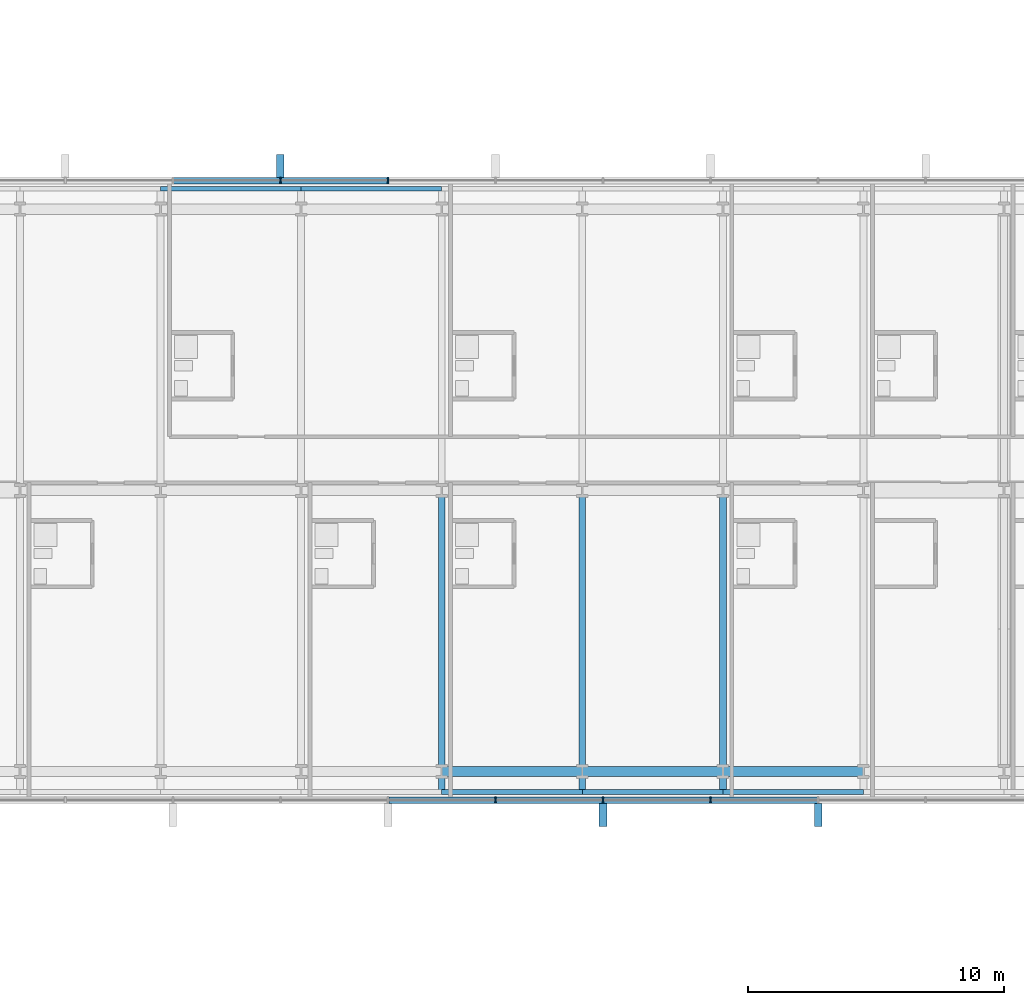
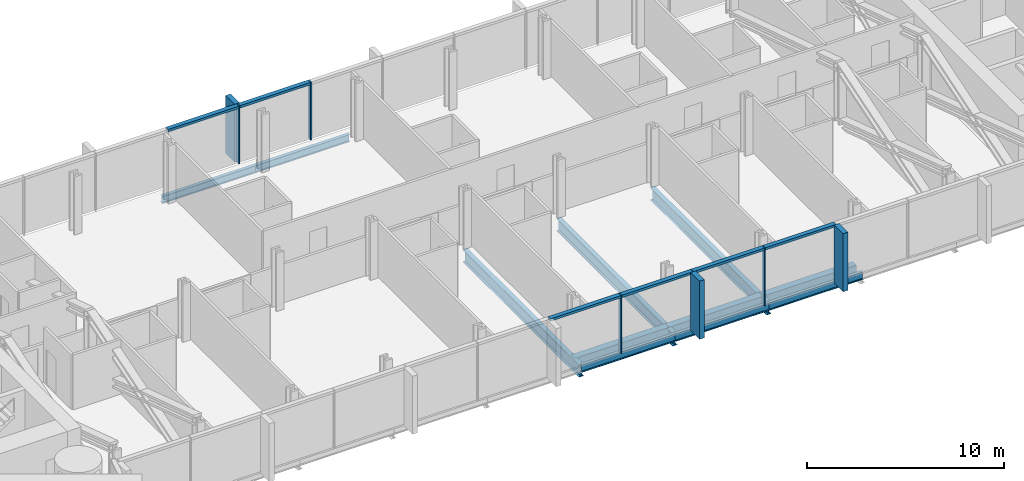
# One storey, part 7 of 23: 14 members, 11 beams, 2 elements without a shape of their own.
"""IFC4 building model written with IfcOpenShell, lengths in metres."""

from ifc_helpers import new_model, si_unit, direction, frame, origin, origin_2d, place, context, subcontext, project, spatial, rectangle, hollow_rectangle, i_section, extrude, material, material_profile, profile_set, type_object, element, aggregate, save


model = new_model("IFC4")

# Units and contexts
model_context = context("Model", 3, precision=1e-05, world=origin(), true_north=direction((0.0, 1.0)))
body_context = subcontext(model_context, "Body", "Model", "MODEL_VIEW")
ifc_project = project(units=[si_unit("LENGTHUNIT", "METRE"), si_unit("AREAUNIT", "SQUARE_METRE"), si_unit("VOLUMEUNIT", "CUBIC_METRE"), si_unit("PLANEANGLEUNIT", "RADIAN"), si_unit("MASSUNIT", "GRAM", prefix="KILO")], contexts=[model_context])

# Site, building, storey
site_placement = place(None, origin())
site = spatial("IfcSite", under=ifc_project, at=site_placement, CompositionType="ELEMENT")
building_placement = place(site_placement, origin())
building = spatial("IfcBuilding", under=site, at=building_placement, Name="Lancet Gate Hotel", CompositionType="ELEMENT")
storey_placement = place(building_placement, frame((0.0, 0.0, 240.5)))
storey = spatial("IfcBuildingStorey", under=building, at=storey_placement, Name="L64", CompositionType="ELEMENT", Elevation=240.5)

# Curtain wall, members
ifc_material_1 = material(Name="Aluminium curtain wall", Category="aluminium")
curtain_wall_type = type_object("IfcCurtainWallType", Name="Bridge block curtain wall", PredefinedType="USERDEFINED", material=ifc_material_1)
curtain_wall_1_placement = place(storey_placement, origin())
curtain_wall_1 = element("IfcCurtainWall", 1, at=curtain_wall_1_placement, inside=storey, type_object=curtain_wall_type, Name="Bridge block L64 curtain wall S", ObjectType="UNITISED CURTAIN WALL", PredefinedType="USERDEFINED")
ifc_material_2 = material(Name="Aluminium mullion", Category="aluminium")
ifc_material_profile_1 = material_profile(ifc_material_2, rectangle(XDim=0.06494140625, YDim=0.25, at=origin_2d()), Name="MULLION 65x250")
ifc_profile_set_1 = profile_set([ifc_material_profile_1], Name="Aluminium mullion")
member_type_1 = type_object("IfcMemberType", Name="Aluminium mullion 65x250", PredefinedType="MULLION", material=ifc_profile_set_1)
member_1_placement = place(storey_placement, frame((2.103759765625, -12.1201171875, 0.0), z_axis=(0.0, 0.0, 1.0), x_axis=(1.0, 0.0, 0.0)))
member_1 = element("IfcMember", 2, at=member_1_placement, type_object=member_type_1, Name="Bridge block L64 curtain wall S mullion 8", PredefinedType="MULLION", context=body_context, shape_type="SweptSolid", body=[
    extrude(rectangle(XDim=0.06494140625, YDim=0.25, at=origin_2d()), origin(), (0.0, 0.0, 1.0), 3.60009765625),
])
member_2_placement = place(storey_placement, frame((6.3115234375, -12.1201171875, 0.0), z_axis=(0.0, 0.0, 1.0), x_axis=(1.0, 0.0, 0.0)))
member_2 = element("IfcMember", 3, at=member_2_placement, type_object=member_type_1, Name="Bridge block L64 curtain wall S mullion 9", PredefinedType="MULLION", context=body_context, shape_type="SweptSolid", body=[
    extrude(rectangle(XDim=0.06494140625, YDim=0.25, at=origin_2d()), origin(), (0.0, 0.0, 1.0), 3.60009765625),
])
member_3_placement = place(storey_placement, frame((10.519287109375, -12.1201171875, 0.0), z_axis=(0.0, 0.0, 1.0), x_axis=(1.0, 0.0, 0.0)))
member_3 = element("IfcMember", 4, at=member_3_placement, type_object=member_type_1, Name="Bridge block L64 curtain wall S mullion 10", PredefinedType="MULLION", context=body_context, shape_type="SweptSolid", body=[
    extrude(rectangle(XDim=0.06494140625, YDim=0.25, at=origin_2d()), origin(), (0.0, 0.0, 1.0), 3.60009765625),
])

curtain_wall_2_placement = place(storey_placement, origin())
curtain_wall_2 = element("IfcCurtainWall", 5, at=curtain_wall_2_placement, inside=storey, type_object=curtain_wall_type, Name="Bridge block L64 curtain wall N", ObjectType="UNITISED CURTAIN WALL", PredefinedType="USERDEFINED")
member_4_placement = place(storey_placement, frame((-2.103759765625, 12.1201171875, 0.0), z_axis=(0.0, 0.0, 1.0), x_axis=(-1.0, 0.0, 0.0)))
member_4 = element("IfcMember", 6, at=member_4_placement, type_object=member_type_1, Name="Bridge block L64 curtain wall N mullion 8", PredefinedType="MULLION", context=body_context, shape_type="SweptSolid", body=[
    extrude(rectangle(XDim=0.06494140625, YDim=0.25, at=origin_2d()), origin(), (0.0, 0.0, 1.0), 3.60009765625),
])
member_5_placement = place(storey_placement, frame((-6.3115234375, 12.1201171875, 0.0), z_axis=(0.0, 0.0, 1.0), x_axis=(-1.0, 0.0, 0.0)))
member_5 = element("IfcMember", 7, at=member_5_placement, type_object=member_type_1, Name="Bridge block L64 curtain wall N mullion 9", PredefinedType="MULLION", context=body_context, shape_type="SweptSolid", body=[
    extrude(rectangle(XDim=0.06494140625, YDim=0.25, at=origin_2d()), origin(), (0.0, 0.0, 1.0), 3.60009765625),
])

# Member
ifc_material_3 = material(Name="Aluminium transom", Category="aluminium")
ifc_material_profile_2 = material_profile(ifc_material_3, rectangle(XDim=0.25, YDim=0.14990234375, at=origin_2d()), Name="TRANSOM 250x150")
ifc_profile_set_2 = profile_set([ifc_material_profile_2], Name="Aluminium transom")
member_type_2 = type_object("IfcMemberType", Name="Aluminium transom 250x150", PredefinedType="USERDEFINED", material=ifc_profile_set_2)
member_6_placement = place(storey_placement, frame((-2.0712890625, -12.1201171875, 3.52490234375), z_axis=(1.0, 0.0, 0.0), x_axis=(0.0, 1.0, 0.0)))
member_6 = element("IfcMember", 8, at=member_6_placement, type_object=member_type_2, Name="Bridge block L64 curtain wall S transom 7", ObjectType="TRANSOM", PredefinedType="USERDEFINED", context=body_context, shape_type="SweptSolid", body=[
    extrude(rectangle(XDim=0.25, YDim=0.14990234375, at=origin_2d()), origin(), (0.0, 0.0, 1.0), 4.142578125),
])

member_7_placement = place(storey_placement, frame((2.13623046875, -12.1201171875, 3.52490234375), z_axis=(1.0, 0.0, 0.0), x_axis=(0.0, 1.0, 0.0)))
member_7 = element("IfcMember", 9, at=member_7_placement, type_object=member_type_2, Name="Bridge block L64 curtain wall S transom 8", ObjectType="TRANSOM", PredefinedType="USERDEFINED", context=body_context, shape_type="SweptSolid", body=[
    extrude(rectangle(XDim=0.25, YDim=0.14990234375, at=origin_2d()), origin(), (0.0, 0.0, 1.0), 4.142822265625),
])

member_8_placement = place(storey_placement, frame((6.343994140625, -12.1201171875, 3.52490234375), z_axis=(1.0, 0.0, 0.0), x_axis=(0.0, 1.0, 0.0)))
member_8 = element("IfcMember", 10, at=member_8_placement, type_object=member_type_2, Name="Bridge block L64 curtain wall S transom 9", ObjectType="TRANSOM", PredefinedType="USERDEFINED", context=body_context, shape_type="SweptSolid", body=[
    extrude(rectangle(XDim=0.25, YDim=0.14990234375, at=origin_2d()), origin(), (0.0, 0.0, 1.0), 4.142822265625),
])

member_9_placement = place(storey_placement, frame((10.5517578125, -12.1201171875, 3.52490234375), z_axis=(1.0, 0.0, 0.0), x_axis=(0.0, 1.0, 0.0)))
member_9 = element("IfcMember", 11, at=member_9_placement, type_object=member_type_2, Name="Bridge block L64 curtain wall S transom 10", ObjectType="TRANSOM", PredefinedType="USERDEFINED", context=body_context, shape_type="SweptSolid", body=[
    extrude(rectangle(XDim=0.25, YDim=0.14990234375, at=origin_2d()), origin(), (0.0, 0.0, 1.0), 4.142578125),
])

member_10_placement = place(storey_placement, frame((-2.13623046875, 12.1201171875, 3.52490234375), z_axis=(-1.0, 0.0, 0.0), x_axis=(0.0, -1.0, 0.0)))
member_10 = element("IfcMember", 12, at=member_10_placement, type_object=member_type_2, Name="Bridge block L64 curtain wall N transom 8", ObjectType="TRANSOM", PredefinedType="USERDEFINED", context=body_context, shape_type="SweptSolid", body=[
    extrude(rectangle(XDim=0.25, YDim=0.14990234375, at=origin_2d()), origin(), (0.0, 0.0, 1.0), 4.142822265625),
])

member_11_placement = place(storey_placement, frame((-6.343994140625, 12.1201171875, 3.52490234375), z_axis=(-1.0, 0.0, 0.0), x_axis=(0.0, -1.0, 0.0)))
member_11 = element("IfcMember", 13, at=member_11_placement, type_object=member_type_2, Name="Bridge block L64 curtain wall N transom 9", ObjectType="TRANSOM", PredefinedType="USERDEFINED", context=body_context, shape_type="SweptSolid", body=[
    extrude(rectangle(XDim=0.25, YDim=0.14990234375, at=origin_2d()), origin(), (0.0, 0.0, 1.0), 4.142822265625),
])

# Beams
ifc_material_4 = material(Name="Steel S355", Category="steel")
ifc_material_profile_3 = material_profile(ifc_material_4, i_section(OverallWidth=0.19140625, OverallDepth=0.4599609375, WebThickness=0.010009765625, FlangeThickness=0.01611328125, FilletRadius=0.01025390625, at=origin_2d()), Name="UKB 457x191x82")
ifc_profile_set_3 = profile_set([ifc_material_profile_3], Name="Steel S355")
beam_type_1 = type_object("IfcBeamType", Name="Block edge beam UKB 457x191x82", PredefinedType="SPANDREL", material=ifc_profile_set_3)
for number, where, z_axis, x_axis, name in (
    (14, (-11.0, 11.800048828125, -0.429931640625), (1.0, 0.0, 0.0), (0.0, 1.0, 0.0), "Block edge beam N 3-4 L64"),
    (15, (-5.5, 11.800048828125, -0.429931640625), (1.0, 0.0, 0.0), (0.0, 1.0, 0.0), "Block edge beam N 4-5 L64"),
    (16, (0.0, -11.800048828125, -0.429931640625), (1.0, 0.0, 0.0), (0.0, 1.0, 0.0), "Block edge beam S 5-6 L64"),
    (17, (5.5, -11.800048828125, -0.429931640625), (1.0, 0.0, 0.0), (0.0, 1.0, 0.0), "Block edge beam S 6-7 L64"),
    (18, (11.0, -11.800048828125, -0.429931640625), (1.0, 0.0, 0.0), (0.0, 1.0, 0.0), "Block edge beam S 7-8 L64"),
):
    element("IfcBeam", number, at=place(storey_placement, frame(where, z_axis=z_axis, x_axis=x_axis)), inside=storey, type_object=beam_type_1, Name=name, PredefinedType="SPANDREL", context=body_context, shape_type="SweptSolid", body=[
        extrude(i_section(OverallWidth=0.19140625, OverallDepth=0.4599609375, WebThickness=0.010009765625, FlangeThickness=0.01611328125, FilletRadius=0.01025390625, at=origin_2d()), origin(), (0.0, 0.0, 1.0), 5.5),
    ])
ifc_material_5 = material(Name="Steel S355", Category="steel")
ifc_material_profile_4 = material_profile(ifc_material_5, hollow_rectangle(XDim=0.39990234375, YDim=0.89990234375, WallThickness=0.0400390625, at=origin_2d()), Name="BOX 900x400x40")
ifc_profile_set_4 = profile_set([ifc_material_profile_4], Name="Steel S355")
beam_type_2 = type_object("IfcBeamType", Name="Block primary beam BOX 900x400x40", PredefinedType="BEAM", material=ifc_profile_set_4)
for number, where, z_axis, x_axis, name in (
    (19, (0.0, -11.0, -0.64990234375), (1.0, 0.0, 0.0), (0.0, 1.0, 0.0), "Block primary beam S 6 L64"),
    (20, (5.5, -11.0, -0.64990234375), (1.0, 0.0, 0.0), (0.0, 1.0, 0.0), "Block primary beam S 7 L64"),
    (21, (11.0, -11.0, -0.64990234375), (1.0, 0.0, 0.0), (0.0, 1.0, 0.0), "Block primary beam S 8 L64"),
):
    element("IfcBeam", number, at=place(storey_placement, frame(where, z_axis=z_axis, x_axis=x_axis)), inside=storey, type_object=beam_type_2, Name=name, PredefinedType="BEAM", context=body_context, shape_type="SweptSolid", body=[
        extrude(hollow_rectangle(XDim=0.39990234375, YDim=0.89990234375, WallThickness=0.0400390625, at=origin_2d()), origin(), (0.0, 0.0, 1.0), 5.5),
    ])
ifc_material_6 = material(Name="Steel S355", Category="steel")
ifc_material_profile_5 = material_profile(ifc_material_6, i_section(OverallWidth=0.26806640625, OverallDepth=0.769775390625, WebThickness=0.015625, FlangeThickness=0.025390625, FilletRadius=0.0166015625, at=origin_2d()), Name="UKB 762x267x197")
ifc_profile_set_5 = profile_set([ifc_material_profile_5], Name="Steel S355")
beam_type_3 = type_object("IfcBeamType", Name="Block secondary beam UKB 762x267x197", PredefinedType="JOIST", material=ifc_profile_set_5)
for number, where, z_axis, x_axis, name in (
    (22, (0.0, -11.800048828125, -0.5849609375), (0.0, 1.0, 0.0), (-1.0, 0.0, 0.0), "Block beam x5 S L64"),
    (23, (5.5, -11.800048828125, -0.5849609375), (0.0, 1.0, 0.0), (-1.0, 0.0, 0.0), "Block beam x6 S L64"),
    (24, (11.0, -11.800048828125, -0.5849609375), (0.0, 1.0, 0.0), (-1.0, 0.0, 0.0), "Block beam x7 S L64"),
):
    element("IfcBeam", number, at=place(storey_placement, frame(where, z_axis=z_axis, x_axis=x_axis)), inside=storey, type_object=beam_type_3, Name=name, PredefinedType="JOIST", context=body_context, shape_type="SweptSolid", body=[
        extrude(i_section(OverallWidth=0.26806640625, OverallDepth=0.769775390625, WebThickness=0.015625, FlangeThickness=0.025390625, FilletRadius=0.0166015625, at=origin_2d()), origin(), (0.0, 0.0, 1.0), 11.800048828125),
    ])

# Member
ifc_material_7 = material(Name="Precast concrete C50/60", Category="concrete")
ifc_material_profile_6 = material_profile(ifc_material_7, rectangle(XDim=0.300048828125, YDim=0.89990234375, at=origin_2d()), Name="FIN 300x900")
ifc_profile_set_6 = profile_set([ifc_material_profile_6], Name="Precast concrete C50/60")
member_type_3 = type_object("IfcMemberType", Name="Exposed concrete fin 300x900", PredefinedType="USERDEFINED", material=ifc_profile_set_6)
member_12_placement = place(storey_placement, frame((6.3115234375, -12.695068359375, 0.0), z_axis=(0.0, 0.0, 1.0), x_axis=(1.0, 0.0, 0.0)))
member_12 = element("IfcMember", 25, at=member_12_placement, type_object=member_type_3, Name="Bridge block L64 curtain wall S fin 9", ObjectType="FIN", PredefinedType="USERDEFINED", context=body_context, shape_type="SweptSolid", body=[
    extrude(rectangle(XDim=0.300048828125, YDim=0.89990234375, at=origin_2d()), origin(), (0.0, 0.0, 1.0), 3.60009765625),
])

member_13_placement = place(storey_placement, frame((14.726806640625, -12.695068359375, 0.0), z_axis=(0.0, 0.0, 1.0), x_axis=(1.0, 0.0, 0.0)))
member_13 = element("IfcMember", 26, at=member_13_placement, type_object=member_type_3, Name="Bridge block L64 curtain wall S fin 11", ObjectType="FIN", PredefinedType="USERDEFINED", context=body_context, shape_type="SweptSolid", body=[
    extrude(rectangle(XDim=0.300048828125, YDim=0.89990234375, at=origin_2d()), origin(), (0.0, 0.0, 1.0), 3.60009765625),
])

aggregate(curtain_wall_1, [member_1, member_2, member_12, member_3, member_13, member_6, member_7, member_8, member_9])

member_14_placement = place(storey_placement, frame((-6.3115234375, 12.695068359375, 0.0), z_axis=(0.0, 0.0, 1.0), x_axis=(-1.0, 0.0, 0.0)))
member_14 = element("IfcMember", 27, at=member_14_placement, type_object=member_type_3, Name="Bridge block L64 curtain wall N fin 9", ObjectType="FIN", PredefinedType="USERDEFINED", context=body_context, shape_type="SweptSolid", body=[
    extrude(rectangle(XDim=0.300048828125, YDim=0.89990234375, at=origin_2d()), origin(), (0.0, 0.0, 1.0), 3.60009765625),
])

aggregate(curtain_wall_2, [member_4, member_5, member_14, member_10, member_11])

save(model, "model.ifc")
